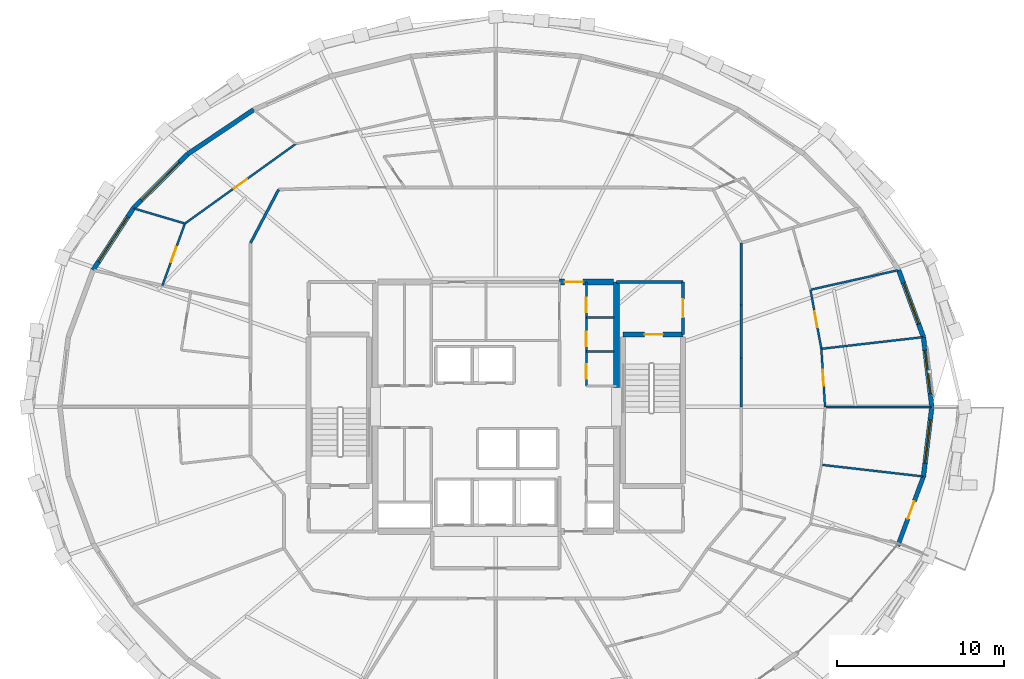
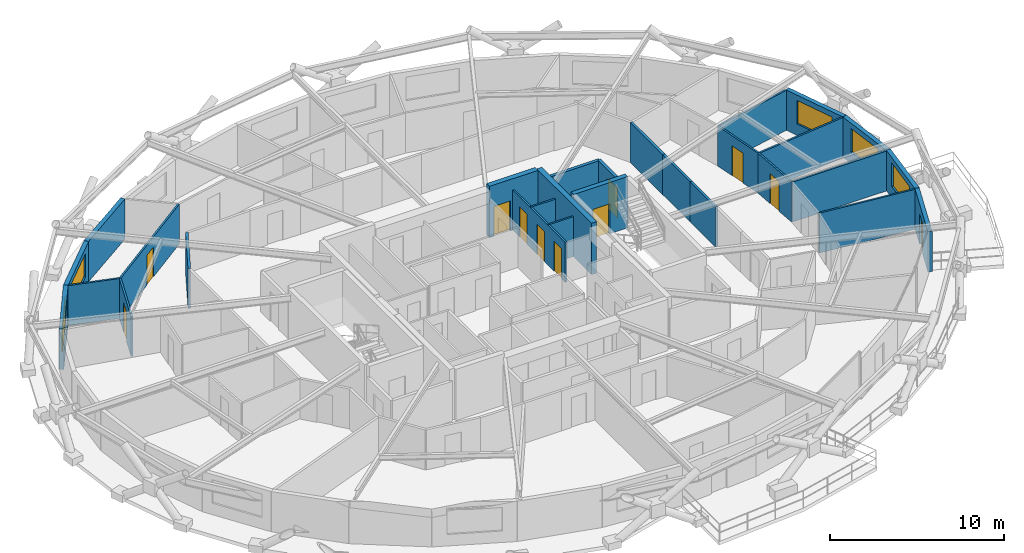
# One storey, part 13 of 16: 28 walls, 11 doors, 5 windows, 16 openings.
"""IFC4 building model written with IfcOpenShell, lengths in metres."""

import ifcopenshell
import ifcopenshell.guid

model = None  # the IFC model being written
_history = None  # IfcOwnerHistory: only IFC2X3 demands one
_inside = {}  # id of a spatial element -> (the spatial element, [elements in it])
_under = {}  # id of a project, library or spatial element -> (it, [spatial elements below it])
_declared = {}  # id of a project -> (the project, [libraries it declares])
_typed = {}  # id of a type object -> (the type object, [elements of that type])
_made_of = {}  # id of a material, layer set ... -> (it, [elements and type objects made of it])


def new_model(schema):
    """Start an empty IFC model of exactly this schema.

    Asked for "IFC4X3", IfcOpenShell would pick the latest addendum, in which some entities
    have other attributes; the version numbers below select the first issue.
    IFC2X3 requires an IfcOwnerHistory on every rooted entity: one is made here for all.
    """
    global model, _history
    if schema == "IFC4X3":
        model = ifcopenshell.file(schema_version=(4, 3, 0, 0))
    else:
        model = ifcopenshell.file(schema=schema)
    _inside.clear()
    _under.clear()
    _declared.clear()
    _typed.clear()
    _made_of.clear()
    _history = None
    if model.schema == "IFC2X3":
        org = make("IfcOrganization", Name="unknown")
        user = make(
            "IfcPersonAndOrganization",
            ThePerson=make("IfcPerson", FamilyName="unknown"),
            TheOrganization=org,
        )
        app = make(
            "IfcApplication",
            ApplicationDeveloper=org,
            Version="unknown",
            ApplicationFullName="unknown",
            ApplicationIdentifier="unknown",
        )
        _history = make(
            "IfcOwnerHistory",
            OwningUser=user,
            OwningApplication=app,
            ChangeAction="ADDED",
            CreationDate=0,
        )
    return model


def make(cls, **values):
    """One entity of the class cls with the attributes given. An attribute that is None is left unset."""
    return model.create_entity(
        cls, **{name: value for name, value in values.items() if value is not None}
    )


def rooted(cls, **values):
    """An entity with a GlobalId (a new one), such as an element, a storey or a relation."""
    return make(cls, GlobalId=ifcopenshell.guid.new(), OwnerHistory=_history, **values)


def si_unit(unit_type, name, prefix=None):
    """IfcSIUnit, for example si_unit("LENGTHUNIT", "METRE", prefix="MILLI")."""
    return make("IfcSIUnit", UnitType=unit_type, Prefix=prefix, Name=name)


def assignment(units):
    """IfcUnitAssignment: the units of a project."""
    return None if units is None else make("IfcUnitAssignment", Units=units)


def point(xyz):
    """IfcCartesianPoint."""
    return None if xyz is None else make("IfcCartesianPoint", Coordinates=xyz)


def direction(xyz):
    """IfcDirection."""
    return None if xyz is None else make("IfcDirection", DirectionRatios=xyz)


def frame(location, z_axis=None, x_axis=None):
    """IfcAxis2Placement3D, a coordinate frame: its origin and axes. An axis left out is left unset."""
    return make(
        "IfcAxis2Placement3D",
        Location=point(location),
        Axis=direction(z_axis),
        RefDirection=direction(x_axis),
    )


def frame_2d(location, x_axis=None):
    """IfcAxis2Placement2D, a coordinate frame in the plane: its origin and x axis."""
    return make(
        "IfcAxis2Placement2D", Location=point(location), RefDirection=direction(x_axis)
    )


def origin():
    """The frame at (0, 0, 0) with its axes left unset."""
    return frame((0.0, 0.0, 0.0))


def place(relative_to, where):
    """IfcLocalPlacement: puts the frame where relative to a parent placement (None: the world)."""
    return make(
        "IfcLocalPlacement", PlacementRelTo=relative_to, RelativePlacement=where
    )


def context(
    kind, dimensions, precision=None, world=None, true_north=None, identifier=None
):
    """IfcGeometricRepresentationContext, for example the 3D "Model" context."""
    return make(
        "IfcGeometricRepresentationContext",
        ContextIdentifier=identifier,
        ContextType=kind,
        CoordinateSpaceDimension=dimensions,
        Precision=precision,
        WorldCoordinateSystem=world,
        TrueNorth=true_north,
    )


def subcontext(parent, identifier, kind, view, scale=None):
    """IfcGeometricRepresentationSubContext, for example "Body" below "Model"."""
    return make(
        "IfcGeometricRepresentationSubContext",
        ContextIdentifier=identifier,
        ContextType=kind,
        ParentContext=parent,
        TargetScale=scale,
        TargetView=view,
    )


def project(units=None, contexts=None):
    """IfcProject with its units and contexts."""
    return rooted(
        "IfcProject",
        Name="project",
        RepresentationContexts=contexts,
        UnitsInContext=assignment(units),
    )


def spatial(cls, under=None, at=None, **own):
    """A site, building, storey or space (cls), placed at a placement, below another one or the project."""
    s = rooted(cls, ObjectPlacement=at, **own)
    if under is not None:
        _under.setdefault(under.id(), (under, []))[1].append(s)
    return s


def profile(cls, at=None, kind="AREA", **sizes):
    """A parametric profile (cls). Its sizes go by their IFC names, for example OverallWidth=200.0."""
    return make(cls, ProfileType=kind, Position=at, **sizes)


def rectangle(**sizes):
    """IfcRectangleProfileDef."""
    return profile("IfcRectangleProfileDef", **sizes)


def extrude(swept, where, along, depth):
    """IfcExtrudedAreaSolid: the profile swept, set in the frame where, extruded along a direction by depth."""
    return make(
        "IfcExtrudedAreaSolid",
        SweptArea=swept,
        Position=where,
        ExtrudedDirection=direction(along),
        Depth=depth,
    )


def shape(context_of_items, identifier, shape_type, items):
    """IfcShapeRepresentation: the items that make up one representation, for example the "Body"."""
    return make(
        "IfcShapeRepresentation",
        ContextOfItems=context_of_items,
        RepresentationIdentifier=identifier,
        RepresentationType=shape_type,
        Items=items,
    )


def material(Name=None, Category=None):
    """IfcMaterial."""
    return make("IfcMaterial", Name=Name, Category=Category)


def layer(
    of_material, thickness, ventilated=None, Name=None, Category=None, Priority=None
):
    """IfcMaterialLayer: one layer of a wall or slab, of a material (None: an air gap)."""
    return make(
        "IfcMaterialLayer",
        Material=of_material,
        LayerThickness=thickness,
        IsVentilated=ventilated,
        Name=Name,
        Category=Category,
        Priority=Priority,
    )


def layer_set(layers, Name=None):
    """IfcMaterialLayerSet."""
    return make("IfcMaterialLayerSet", MaterialLayers=layers, LayerSetName=Name)


def made_of(thing, what):
    """Note that an element or type object is made of a material, layer set ...; save() writes the relation."""
    if what is not None:
        _made_of.setdefault(what.id(), (what, []))[1].append(thing)
    return thing


def type_object(cls, material=None, **own):
    """A type object (cls), such as IfcWallType, which elements share."""
    return made_of(rooted(cls, **own), material)


def element(
    cls,
    number,
    at=None,
    inside=None,
    cuts=None,
    type_object=None,
    material=None,
    context=None,
    identifier="Body",
    shape_type=None,
    held_by="IfcProductDefinitionShape",
    body=None,
    shapes=None,
    **own,
):
    """One element of the class cls, such as IfcWall. Its Tag is "e" and its number.

    at: its placement. inside: the storey or other place that contains it. cuts: it is an
    opening in that element (IfcRelVoidsElement). A single representation is given by context,
    identifier, shape_type and body (its items); several are given by shapes. held_by: the class
    of the entity that holds the representations. save() writes the other relations.
    """
    e = rooted(cls, Tag="e%d" % number, ObjectPlacement=at, **own)
    if body is not None:
        shapes = [shape(context, identifier, shape_type, body)]
    if shapes is not None:
        e.Representation = make(held_by, Representations=shapes)
    if inside is not None:
        _inside.setdefault(inside.id(), (inside, []))[1].append(e)
    if cuts is not None:
        rooted(
            "IfcRelVoidsElement", RelatingBuildingElement=cuts, RelatedOpeningElement=e
        )
    if type_object is not None:
        _typed.setdefault(type_object.id(), (type_object, []))[1].append(e)
    return made_of(e, material)


def fill(opening, filler):
    """IfcRelFillsElement: the door or window that sits in an opening."""
    return rooted(
        "IfcRelFillsElement",
        RelatingOpeningElement=opening,
        RelatedBuildingElement=filler,
    )


def aggregate(whole, parts):
    """IfcRelAggregates: a whole, such as a stair, and the parts it consists of."""
    return rooted("IfcRelAggregates", RelatingObject=whole, RelatedObjects=parts)


def save(model, path):
    """Write the relations noted so far, then the file.

    IfcRelAggregates (storeys below a building ...), IfcRelContainedInSpatialStructure (elements
    in a storey), IfcRelDefinesByType, IfcRelAssociatesMaterial and IfcRelDeclares: one each for
    every whole, place, type object, material and project.
    """
    for whole, parts in _under.values():
        aggregate(whole, parts)
    for where, things in _inside.values():
        rooted(
            "IfcRelContainedInSpatialStructure",
            RelatedElements=things,
            RelatingStructure=where,
        )
    for kind, things in _typed.values():
        rooted("IfcRelDefinesByType", RelatedObjects=things, RelatingType=kind)
    for what, things in _made_of.values():
        rooted("IfcRelAssociatesMaterial", RelatedObjects=things, RelatingMaterial=what)
    for by, libraries in _declared.values():
        rooted("IfcRelDeclares", RelatingContext=by, RelatedDefinitions=libraries)
    model.write(path)


model = new_model("IFC4")

# Units and contexts
model_context = context("Model", 3, precision=1e-05, world=origin(), true_north=direction((0.0, 1.0)))
body_context = subcontext(model_context, "Body", "Model", "MODEL_VIEW")
ifc_project = project(units=[si_unit("LENGTHUNIT", "METRE"), si_unit("AREAUNIT", "SQUARE_METRE"), si_unit("VOLUMEUNIT", "CUBIC_METRE"), si_unit("PLANEANGLEUNIT", "RADIAN"), si_unit("MASSUNIT", "GRAM", prefix="KILO")], contexts=[model_context])

# Site, building, storey
site_placement = place(None, origin())
site = spatial("IfcSite", under=ifc_project, at=site_placement, CompositionType="ELEMENT")
building_placement = place(site_placement, origin())
building = spatial("IfcBuilding", under=site, at=building_placement, Name="Veldorina Hangang Commons", CompositionType="ELEMENT")
storey_placement = place(building_placement, frame((0.0, 0.0, 174.800048828125)))
storey = spatial("IfcBuildingStorey", under=building, at=storey_placement, Name="L45", CompositionType="ELEMENT", Elevation=174.800048828125)

# Wall
ifc_material_1 = material(Name="Concrete C60/75", Category="concrete")
ifc_layer_1 = layer(ifc_material_1, 0.340087890625)
ifc_layer_set_1 = layer_set([ifc_layer_1], Name="Concrete C60/75")
wall_type_1 = type_object("IfcWallType", Name="CW-RC340-C60", PredefinedType="SHEAR", material=ifc_layer_set_1)
wall_1_placement = place(storey_placement, frame((39.199951171875, 25.14990234375, 0.0), z_axis=(0.0, 0.0, 1.0), x_axis=(0.0, 1.0, 0.0)))
element("IfcWall", 1, at=wall_1_placement, inside=storey, type_object=wall_type_1, Name="L45 E north core shear wall", PredefinedType="SHEAR", context=body_context, shape_type="SweptSolid", body=[
    extrude(rectangle(XDim=6.300048828125, YDim=0.340087890625, at=frame_2d((3.14990234375, 0.0))), origin(), (0.0, 0.0, 1.0), 3.599853515625),
])

# Wall, opening, door
wall_2_placement = place(storey_placement, frame((35.800048828125, 31.449951171875, 0.0), z_axis=(0.0, 0.0, 1.0), x_axis=(1.0, 0.0, 0.0)))
wall_2 = element("IfcWall", 2, at=wall_2_placement, inside=storey, type_object=wall_type_1, Name="L45 north-east core shear wall", PredefinedType="SHEAR", context=body_context, shape_type="SweptSolid", body=[
    extrude(rectangle(XDim=3.22998046875, YDim=0.340087890625, at=frame_2d((1.614990234375, 0.0))), origin(), (0.0, 0.0, 1.0), 3.599853515625),
])
opening_1_placement = place(wall_2_placement, frame((0.300048828125, 0.0, 0.0)))
opening_1 = element("IfcOpeningElement", 3, at=opening_1_placement, cuts=wall_2, Name="Opening D-08", PredefinedType="OPENING", context=body_context, shape_type="SweptSolid", body=[
    extrude(rectangle(XDim=1.10009765625, YDim=2.10009765625, at=frame_2d((0.550048828125, 1.050048828125))), frame((0.0, 0.18017578125, 0.0), z_axis=(0.0, -1.0, 0.0), x_axis=(1.0, 0.0, 0.0)), (0.0, 0.0, 1.0), 0.360107421875),
])
ifc_material_2 = material(Name="Steel Fire-Rated Smoke Seal", Category="steel")
door_type_1 = type_object("IfcDoorType", Name="DR-FIRE-1100", OperationType="SINGLE_SWING_RIGHT", PredefinedType="DOOR", material=ifc_material_2)
door_1_placement = place(opening_1_placement, origin())
door_1 = element("IfcDoor", 4, at=door_1_placement, inside=storey, type_object=door_type_1, Name="L45 central lift lobby north corridor door", OperationType="SINGLE_SWING_LEFT", OverallHeight=2.10009765625, OverallWidth=1.10009765625, PredefinedType="DOOR", context=body_context, shape_type="SweptSolid", body=[
    extrude(rectangle(XDim=1.10009765625, YDim=2.10009765625, at=frame_2d((0.550048828125, 1.050048828125))), frame((0.0, 0.02490234375, 0.0), z_axis=(0.0, -1.0, 0.0), x_axis=(1.0, 0.0, 0.0)), (0.0, 0.0, 1.0), 0.050048828125),
])
fill(opening_1, door_1)

ifc_material_3 = material(Name="Stone Roman Travertine", Category="masonry")
ifc_layer_2 = layer(ifc_material_3, 0.260009765625)
ifc_layer_set_2 = layer_set([ifc_layer_2], Name="Stone Roman Travertine")
wall_type_2 = type_object("IfcWallType", Name="EW-LOGGIA-260", PredefinedType="STANDARD", material=ifc_layer_set_2)
wall_3_placement = place(storey_placement, frame((56.004638671875, 15.689697265625, 0.0), z_axis=(0.0, 0.0, 1.0), x_axis=(0.347096775118, 0.937829317468, 0.0)))
wall_3 = element("IfcWall", 5, at=wall_3_placement, inside=storey, type_object=wall_type_2, Name="L45 sky-garden loggia portal wall 30", PredefinedType="STANDARD", context=body_context, shape_type="SweptSolid", body=[
    extrude(rectangle(XDim=4.422119140625, YDim=0.260009765625, at=frame_2d((2.2109375, 0.0))), origin(), (0.0, 0.0, 1.0), 2.820068359375),
])
opening_2_placement = place(wall_3_placement, frame((1.73779296875, 0.0, 0.0)))
opening_2 = element("IfcOpeningElement", 6, at=opening_2_placement, cuts=wall_3, Name="Opening BD-1100", PredefinedType="OPENING", context=body_context, shape_type="SweptSolid", body=[
    extrude(rectangle(XDim=1.10009765625, YDim=2.14990234375, at=frame_2d((0.550048828125, 1.074951171875))), frame((0.0, 0.14013671875, 0.0), z_axis=(0.0, -1.0, 0.0), x_axis=(1.0, 0.0, 0.0)), (0.0, 0.0, 1.0), 0.280029296875),
])
ifc_material_4 = material(Name="Glass Thermal Aluminium Frame", Category="aluminium")
door_type_2 = type_object("IfcDoorType", Name="DR-EXT-BAL1100", OperationType="SINGLE_SWING_RIGHT", PredefinedType="DOOR", material=ifc_material_4)
door_2_placement = place(opening_2_placement, origin())
door_2 = element("IfcDoor", 7, at=door_2_placement, inside=storey, type_object=door_type_2, Name="L45 tree balcony glazed exterior door 30", OperationType="SINGLE_SWING_LEFT", OverallHeight=2.14990234375, OverallWidth=1.10009765625, PredefinedType="DOOR", context=body_context, shape_type="SweptSolid", body=[
    extrude(rectangle(XDim=1.10009765625, YDim=2.14990234375, at=frame_2d((0.550048828125, 1.074951171875))), frame((0.0, 0.02490234375, 0.0), z_axis=(0.0, -1.0, 0.0), x_axis=(1.0, 0.0, 0.0)), (0.0, 0.0, 1.0), 0.050048828125),
])
fill(opening_2, door_2)

# Wall, opening, window
ifc_layer_3 = layer(ifc_material_3, 0.280029296875)
ifc_layer_set_3 = layer_set([ifc_layer_3], Name="Stone Roman Travertine")
wall_type_3 = type_object("IfcWallType", Name="EW-TRAV-280", PredefinedType="STANDARD", material=ifc_layer_set_3)
wall_4_placement = place(storey_placement, frame((58.0400390625, 24.0, 0.0), z_axis=(0.0, 0.0, 1.0), x_axis=(-0.119361035634, 0.992850916892, 0.0)))
wall_4 = element("IfcWall", 8, at=wall_4_placement, inside=storey, type_object=wall_type_3, Name="L45 travertine facade wall 00", PredefinedType="STANDARD", context=body_context, shape_type="SweptSolid", body=[
    extrude(rectangle(XDim=4.193115234375, YDim=0.280029296875, at=frame_2d((2.0966796875, 0.0))), origin(), (0.0, 0.0, 1.0), 2.820068359375),
])
opening_3_placement = place(wall_4_placement, frame((0.796630859375, 0.0, 0.800048828125)))
opening_3 = element("IfcOpeningElement", 9, at=opening_3_placement, cuts=wall_4, Name="Opening W-02", PredefinedType="OPENING", context=body_context, shape_type="SweptSolid", body=[
    extrude(rectangle(XDim=2.60009765625, YDim=1.64990234375, at=frame_2d((1.300048828125, 0.824951171875))), frame((0.0, 0.14990234375, 0.0), z_axis=(0.0, -1.0, 0.0), x_axis=(1.0, 0.0, 0.0)), (0.0, 0.0, 1.0), 0.300048828125),
])
ifc_material_5 = material(Name="Glass Low-E Triple IGU", Category="glass")
window_type_1 = type_object("IfcWindowType", Name="WIN-TWR-2600", PartitioningType="SINGLE_PANEL", PredefinedType="WINDOW", material=ifc_material_5)
window_1_placement = place(opening_3_placement, origin())
window_1 = element("IfcWindow", 10, at=window_1_placement, inside=storey, type_object=window_type_1, Name="L45 facade window 00", OverallHeight=1.64990234375, OverallWidth=2.60009765625, PartitioningType="SINGLE_PANEL", PredefinedType="WINDOW", context=body_context, shape_type="SweptSolid", body=[
    extrude(rectangle(XDim=2.60009765625, YDim=1.64990234375, at=frame_2d((1.300048828125, 0.824951171875))), frame((0.0, 0.030029296875, 0.0), z_axis=(0.0, -1.0, 0.0), x_axis=(1.0, 0.0, 0.0)), (0.0, 0.0, 1.0), 0.06005859375),
])
fill(opening_3, window_1)

wall_5_placement = place(storey_placement, frame((57.53955078125, 28.1630859375, 0.0), z_axis=(0.0, 0.0, 1.0), x_axis=(-0.347096410893, 0.93782945227, 0.0)))
wall_5 = element("IfcWall", 11, at=wall_5_placement, inside=storey, type_object=wall_type_3, Name="L45 travertine facade wall 01", PredefinedType="STANDARD", context=body_context, shape_type="SweptSolid", body=[
    extrude(rectangle(XDim=4.268798828125, YDim=0.280029296875, at=frame_2d((2.13427734375, 0.0))), origin(), (0.0, 0.0, 1.0), 2.820068359375),
])
opening_4_placement = place(wall_5_placement, frame((0.83447265625, 0.0, 0.800048828125)))
opening_4 = element("IfcOpeningElement", 12, at=opening_4_placement, cuts=wall_5, Name="Opening W-02", PredefinedType="OPENING", context=body_context, shape_type="SweptSolid", body=[
    extrude(rectangle(XDim=2.60009765625, YDim=1.64990234375, at=frame_2d((1.300048828125, 0.824951171875))), frame((0.0, 0.14990234375, 0.0), z_axis=(0.0, -1.0, 0.0), x_axis=(1.0, 0.0, 0.0)), (0.0, 0.0, 1.0), 0.300048828125),
])
window_2_placement = place(opening_4_placement, origin())
window_2 = element("IfcWindow", 13, at=window_2_placement, inside=storey, type_object=window_type_1, Name="L45 facade window 01", OverallHeight=1.64990234375, OverallWidth=2.60009765625, PartitioningType="SINGLE_PANEL", PredefinedType="WINDOW", context=body_context, shape_type="SweptSolid", body=[
    extrude(rectangle(XDim=2.60009765625, YDim=1.64990234375, at=frame_2d((1.300048828125, 0.824951171875))), frame((0.0, 0.030029296875, 0.0), z_axis=(0.0, -1.0, 0.0), x_axis=(1.0, 0.0, 0.0)), (0.0, 0.0, 1.0), 0.06005859375),
])
fill(opening_4, window_2)

# Wall
wall_6_placement = place(storey_placement, frame((17.532958984375, 41.74365234375, 0.0), z_axis=(0.0, 0.0, 1.0), x_axis=(-0.829776575502, -0.558095721851, 0.0)))
element("IfcWall", 14, at=wall_6_placement, inside=storey, type_object=wall_type_3, Name="L45 travertine facade wall 11", PredefinedType="STANDARD", context=body_context, shape_type="SweptSolid", body=[
    extrude(rectangle(XDim=4.755615234375, YDim=0.280029296875, at=frame_2d((2.3779296875, 0.0))), origin(), (0.0, 0.0, 1.0), 2.820068359375),
])

# Wall, opening, window
wall_7_placement = place(storey_placement, frame((13.5869140625, 39.089599609375, 0.0), z_axis=(0.0, 0.0, 1.0), x_axis=(-0.707640043992, -0.706573115919, 0.0)))
wall_7 = element("IfcWall", 15, at=wall_7_placement, inside=storey, type_object=wall_type_3, Name="L45 travertine facade wall 12", PredefinedType="STANDARD", context=body_context, shape_type="SweptSolid", body=[
    extrude(rectangle(XDim=4.576416015625, YDim=0.280029296875, at=frame_2d((2.2880859375, 0.0))), origin(), (0.0, 0.0, 1.0), 2.820068359375),
])
opening_5_placement = place(wall_7_placement, frame((0.688232421875, 0.0, 0.800048828125)))
opening_5 = element("IfcOpeningElement", 16, at=opening_5_placement, cuts=wall_7, Name="Opening W-01", PredefinedType="OPENING", context=body_context, shape_type="SweptSolid", body=[
    extrude(rectangle(XDim=3.199951171875, YDim=1.64990234375, at=frame_2d((1.60009765625, 0.824951171875))), frame((0.0, 0.14990234375, 0.0), z_axis=(0.0, -1.0, 0.0), x_axis=(1.0, 0.0, 0.0)), (0.0, 0.0, 1.0), 0.300048828125),
])
window_type_2 = type_object("IfcWindowType", Name="WIN-TWR-3200", PartitioningType="SINGLE_PANEL", PredefinedType="WINDOW", material=ifc_material_5)
window_3_placement = place(opening_5_placement, origin())
window_3 = element("IfcWindow", 17, at=window_3_placement, inside=storey, type_object=window_type_2, Name="L45 facade window 12", OverallHeight=1.64990234375, OverallWidth=3.199951171875, PartitioningType="SINGLE_PANEL", PredefinedType="WINDOW", context=body_context, shape_type="SweptSolid", body=[
    extrude(rectangle(XDim=3.199951171875, YDim=1.64990234375, at=frame_2d((1.60009765625, 0.824951171875))), frame((0.0, 0.030029296875, 0.0), z_axis=(0.0, -1.0, 0.0), x_axis=(1.0, 0.0, 0.0)), (0.0, 0.0, 1.0), 0.06005859375),
])
fill(opening_5, window_3)

wall_8_placement = place(storey_placement, frame((10.348388671875, 35.85595703125, 0.0), z_axis=(0.0, 0.0, 1.0), x_axis=(-0.54628130625, -0.837601775573, 0.0)))
wall_8 = element("IfcWall", 18, at=wall_8_placement, inside=storey, type_object=wall_type_3, Name="L45 travertine facade wall 13", PredefinedType="STANDARD", context=body_context, shape_type="SweptSolid", body=[
    extrude(rectangle(XDim=4.40478515625, YDim=0.280029296875, at=frame_2d((2.202392578125, 0.0))), origin(), (0.0, 0.0, 1.0), 2.820068359375),
])
opening_6_placement = place(wall_8_placement, frame((0.602294921875, 0.0, 0.800048828125)))
opening_6 = element("IfcOpeningElement", 19, at=opening_6_placement, cuts=wall_8, Name="Opening W-01", PredefinedType="OPENING", context=body_context, shape_type="SweptSolid", body=[
    extrude(rectangle(XDim=3.199951171875, YDim=1.64990234375, at=frame_2d((1.60009765625, 0.824951171875))), frame((0.0, 0.14990234375, 0.0), z_axis=(0.0, -1.0, 0.0), x_axis=(1.0, 0.0, 0.0)), (0.0, 0.0, 1.0), 0.300048828125),
])
window_4_placement = place(opening_6_placement, origin())
window_4 = element("IfcWindow", 20, at=window_4_placement, inside=storey, type_object=window_type_2, Name="L45 facade window 13", OverallHeight=1.64990234375, OverallWidth=3.199951171875, PartitioningType="SINGLE_PANEL", PredefinedType="WINDOW", context=body_context, shape_type="SweptSolid", body=[
    extrude(rectangle(XDim=3.199951171875, YDim=1.64990234375, at=frame_2d((1.60009765625, 0.824951171875))), frame((0.0, 0.030029296875, 0.0), z_axis=(0.0, -1.0, 0.0), x_axis=(1.0, 0.0, 0.0)), (0.0, 0.0, 1.0), 0.06005859375),
])
fill(opening_6, window_4)

wall_9_placement = place(storey_placement, frame((57.53955078125, 19.8369140625, 0.0), z_axis=(0.0, 0.0, 1.0), x_axis=(0.119361035634, 0.992850916892, 0.0)))
wall_9 = element("IfcWall", 21, at=wall_9_placement, inside=storey, type_object=wall_type_3, Name="L45 travertine facade wall 31", PredefinedType="STANDARD", context=body_context, shape_type="SweptSolid", body=[
    extrude(rectangle(XDim=4.193115234375, YDim=0.280029296875, at=frame_2d((2.0966796875, 0.0))), origin(), (0.0, 0.0, 1.0), 2.820068359375),
])
opening_7_placement = place(wall_9_placement, frame((0.796630859375, 0.0, 0.800048828125)))
opening_7 = element("IfcOpeningElement", 22, at=opening_7_placement, cuts=wall_9, Name="Opening W-02", PredefinedType="OPENING", context=body_context, shape_type="SweptSolid", body=[
    extrude(rectangle(XDim=2.60009765625, YDim=1.64990234375, at=frame_2d((1.300048828125, 0.824951171875))), frame((0.0, 0.14990234375, 0.0), z_axis=(0.0, -1.0, 0.0), x_axis=(1.0, 0.0, 0.0)), (0.0, 0.0, 1.0), 0.300048828125),
])
window_5_placement = place(opening_7_placement, origin())
window_5 = element("IfcWindow", 23, at=window_5_placement, inside=storey, type_object=window_type_1, Name="L45 facade window 31", OverallHeight=1.64990234375, OverallWidth=2.60009765625, PartitioningType="SINGLE_PANEL", PredefinedType="WINDOW", context=body_context, shape_type="SweptSolid", body=[
    extrude(rectangle(XDim=2.60009765625, YDim=1.64990234375, at=frame_2d((1.300048828125, 0.824951171875))), frame((0.0, 0.030029296875, 0.0), z_axis=(0.0, -1.0, 0.0), x_axis=(1.0, 0.0, 0.0)), (0.0, 0.0, 1.0), 0.06005859375),
])
fill(opening_7, window_5)

# Wall, opening, door
ifc_material_6 = material(Name="Concrete C50/60", Category="concrete")
ifc_layer_4 = layer(ifc_material_6, 0.300048828125)
ifc_layer_set_4 = layer_set([ifc_layer_4], Name="Concrete C50/60")
wall_type_4 = type_object("IfcWallType", Name="SW-STAIR-300", PredefinedType="SHEAR", material=ifc_layer_set_4)
wall_10_placement = place(storey_placement, frame((39.580078125, 28.320068359375, 0.0), z_axis=(0.0, 0.0, 1.0), x_axis=(1.0, 0.0, 0.0)))
wall_10 = element("IfcWall", 24, at=wall_10_placement, inside=storey, type_object=wall_type_4, Name="L45 ST2 north stair shear wall", PredefinedType="SHEAR", context=body_context, shape_type="SweptSolid", body=[
    extrude(rectangle(XDim=3.599853515625, YDim=0.300048828125, at=frame_2d((1.7998046875, 0.0))), origin(), (0.0, 0.0, 1.0), 3.599853515625),
])
opening_8_placement = place(wall_10_placement, frame((1.300048828125, 0.0, 0.0)))
opening_8 = element("IfcOpeningElement", 25, at=opening_8_placement, cuts=wall_10, Name="Opening D-08", PredefinedType="OPENING", context=body_context, shape_type="SweptSolid", body=[
    extrude(rectangle(XDim=1.10009765625, YDim=2.10009765625, at=frame_2d((0.550048828125, 1.050048828125))), frame((0.0, 0.16015625, 0.0), z_axis=(0.0, -1.0, 0.0), x_axis=(1.0, 0.0, 0.0)), (0.0, 0.0, 1.0), 0.320068359375),
])
door_3_placement = place(opening_8_placement, origin())
door_3 = element("IfcDoor", 26, at=door_3_placement, inside=storey, type_object=door_type_1, Name="L45 Special Escape Stair ST-2 door", OperationType="SINGLE_SWING_RIGHT", OverallHeight=2.10009765625, OverallWidth=1.10009765625, PredefinedType="DOOR", context=body_context, shape_type="SweptSolid", body=[
    extrude(rectangle(XDim=1.10009765625, YDim=2.10009765625, at=frame_2d((0.550048828125, 1.050048828125))), frame((0.0, 0.02490234375, 0.0), z_axis=(0.0, -1.0, 0.0), x_axis=(1.0, 0.0, 0.0)), (0.0, 0.0, 1.0), 0.050048828125),
])
fill(opening_8, door_3)

# Walls
ifc_material_7 = material(Name="Gypsum Fire-Rated Twin Stud Wall", Category="gypsum")
ifc_layer_5 = layer(ifc_material_7, 0.159912109375)
ifc_layer_set_5 = layer_set([ifc_layer_5], Name="Gypsum Fire-Rated Twin Stud Wall")
wall_type_5 = type_object("IfcWallType", Name="WL-FIRE-160", PredefinedType="SOLIDWALL", material=ifc_layer_set_5)
wall_11_placement = place(storey_placement, frame((46.64990234375, 24.0, 0.0), z_axis=(0.0, 0.0, 1.0), x_axis=(0.0, 1.0, 0.0)))
element("IfcWall", 27, at=wall_11_placement, inside=storey, type_object=wall_type_5, Name="L45 U-corridor outer wall 00 050", PredefinedType="SOLIDWALL", context=body_context, shape_type="SweptSolid", body=[
    extrude(rectangle(XDim=2.9140625, YDim=0.159912109375, at=frame_2d((1.45703125, 0.0))), origin(), (0.0, 0.0, 1.0), 2.800048828125),
])
wall_12_placement = place(storey_placement, frame((46.64990234375, 26.9140625, 0.0), z_axis=(0.0, 0.0, 1.0), x_axis=(0.0, 1.0, 0.0)))
element("IfcWall", 28, at=wall_12_placement, inside=storey, type_object=wall_type_5, Name="L45 U-corridor outer wall 01 051", PredefinedType="SOLIDWALL", context=body_context, shape_type="SweptSolid", body=[
    extrude(rectangle(XDim=3.154052734375, YDim=0.159912109375, at=frame_2d((1.5771484375, 0.0))), origin(), (0.0, 0.0, 1.0), 2.800048828125),
])
wall_13_placement = place(storey_placement, frame((46.64990234375, 30.068115234375, 0.0), z_axis=(0.0, 0.0, 1.0), x_axis=(0.0, 1.0, 0.0)))
element("IfcWall", 29, at=wall_13_placement, inside=storey, type_object=wall_type_5, Name="L45 U-corridor outer wall 02 052", PredefinedType="SOLIDWALL", context=body_context, shape_type="SweptSolid", body=[
    extrude(rectangle(XDim=3.720703125, YDim=0.159912109375, at=frame_2d((1.8603515625, 0.0))), origin(), (0.0, 0.0, 1.0), 2.800048828125),
])
wall_14_placement = place(storey_placement, frame((19.02490234375, 36.97509765625, 0.0), z_axis=(0.0, 0.0, 1.0), x_axis=(-0.46527115782, -0.885168204185, 0.0)))
element("IfcWall", 30, at=wall_14_placement, inside=storey, type_object=wall_type_5, Name="L45 U-corridor outer wall 12 062", PredefinedType="SOLIDWALL", context=body_context, shape_type="SweptSolid", body=[
    extrude(rectangle(XDim=3.599609375, YDim=0.159912109375, at=frame_2d((1.7998046875, 0.0))), origin(), (0.0, 0.0, 1.0), 2.800048828125),
])

# Wall, opening, door
ifc_material_8 = material(Name="Concrete Blockwork Fire Wall C30/37", Category="masonry")
ifc_layer_6 = layer(ifc_material_8, 0.199951171875)
ifc_layer_set_6 = layer_set([ifc_layer_6], Name="Concrete Blockwork Fire Wall C30/37")
wall_type_6 = type_object("IfcWallType", Name="WL-FIRE-200", PredefinedType="SOLIDWALL", material=ifc_layer_set_6)
wall_15_placement = place(storey_placement, frame((43.179931640625, 28.320068359375, 0.0), z_axis=(0.0, 0.0, 1.0), x_axis=(0.0, 1.0, 0.0)))
wall_15 = element("IfcWall", 31, at=wall_15_placement, inside=storey, type_object=wall_type_6, Name="L45 East vestibule outer wall 003", PredefinedType="SOLIDWALL", context=body_context, shape_type="SweptSolid", body=[
    extrude(rectangle(XDim=3.1298828125, YDim=0.199951171875, at=frame_2d((1.56494140625, 0.0))), origin(), (0.0, 0.0, 1.0), 2.800048828125),
])
opening_9_placement = place(wall_15_placement, frame((1.014892578125, 0.0, 0.0)))
opening_9 = element("IfcOpeningElement", 32, at=opening_9_placement, cuts=wall_15, Name="Opening D-08", PredefinedType="OPENING", context=body_context, shape_type="SweptSolid", body=[
    extrude(rectangle(XDim=1.10009765625, YDim=2.10009765625, at=frame_2d((0.550048828125, 1.050048828125))), frame((0.0, 0.10986328125, 0.0), z_axis=(0.0, -1.0, 0.0), x_axis=(1.0, 0.0, 0.0)), (0.0, 0.0, 1.0), 0.219970703125),
])
door_4_placement = place(opening_9_placement, origin())
door_4 = element("IfcDoor", 33, at=door_4_placement, inside=storey, type_object=door_type_1, Name="L45 East vestibule east door 002", OperationType="SINGLE_SWING_RIGHT", OverallHeight=2.10009765625, OverallWidth=1.10009765625, PredefinedType="DOOR", context=body_context, shape_type="SweptSolid", body=[
    extrude(rectangle(XDim=1.10009765625, YDim=2.10009765625, at=frame_2d((0.550048828125, 1.050048828125))), frame((0.0, 0.02490234375, 0.0), z_axis=(0.0, -1.0, 0.0), x_axis=(1.0, 0.0, 0.0)), (0.0, 0.0, 1.0), 0.050048828125),
])
fill(opening_9, door_4)

# Wall
wall_16_placement = place(storey_placement, frame((39.199951171875, 31.449951171875, 0.0), z_axis=(0.0, 0.0, 1.0), x_axis=(1.0, 0.0, 0.0)))
element("IfcWall", 34, at=wall_16_placement, inside=storey, type_object=wall_type_6, Name="L45 East vestibule north wall 004", PredefinedType="SOLIDWALL", context=body_context, shape_type="SweptSolid", body=[
    extrude(rectangle(XDim=3.97998046875, YDim=0.199951171875, at=frame_2d((1.989990234375, 0.0))), origin(), (0.0, 0.0, 1.0), 2.800048828125),
])

# Wall, openings, doors
ifc_material_9 = material(Name="Gypsum Acoustic Stud Partition", Category="gypsum")
ifc_layer_7 = layer(ifc_material_9, 0.1201171875)
ifc_layer_set_7 = layer_set([ifc_layer_7], Name="Gypsum Acoustic Stud Partition")
wall_type_7 = type_object("IfcWallType", Name="WL-PART-120", PredefinedType="PARTITIONING", material=ifc_layer_set_7)
wall_17_placement = place(storey_placement, frame((37.39990234375, 25.25, 0.0), z_axis=(0.0, 0.0, 1.0), x_axis=(0.0, 1.0, 0.0)))
wall_17 = element("IfcWall", 35, at=wall_17_placement, inside=storey, type_object=wall_type_7, Name="L45 NE strip lobby wall 041", PredefinedType="PARTITIONING", context=body_context, shape_type="SweptSolid", body=[
    extrude(rectangle(XDim=6.199951171875, YDim=0.1201171875, at=frame_2d((3.10009765625, 0.0))), origin(), (0.0, 0.0, 1.0), 2.800048828125),
])
opening_10_placement = place(wall_17_placement, frame((0.43994140625, 0.0, 0.0)))
opening_10 = element("IfcOpeningElement", 36, at=opening_10_placement, cuts=wall_17, Name="Opening D-01", PredefinedType="OPENING", context=body_context, shape_type="SweptSolid", body=[
    extrude(rectangle(XDim=0.860107421875, YDim=2.10009765625, at=frame_2d((0.43017578125, 1.050048828125))), frame((0.0, 0.070068359375, 0.0), z_axis=(0.0, -1.0, 0.0), x_axis=(1.0, 0.0, 0.0)), (0.0, 0.0, 1.0), 0.14013671875),
])
opening_11_placement = place(wall_17_placement, frame((2.3701171875, 0.0, 0.0)))
opening_11 = element("IfcOpeningElement", 37, at=opening_11_placement, cuts=wall_17, Name="Opening D-01", PredefinedType="OPENING", context=body_context, shape_type="SweptSolid", body=[
    extrude(rectangle(XDim=0.860107421875, YDim=2.10009765625, at=frame_2d((0.43017578125, 1.050048828125))), frame((0.0, 0.070068359375, 0.0), z_axis=(0.0, -1.0, 0.0), x_axis=(1.0, 0.0, 0.0)), (0.0, 0.0, 1.0), 0.14013671875),
])
opening_12_placement = place(wall_17_placement, frame((4.389892578125, 0.0, 0.0)))
opening_12 = element("IfcOpeningElement", 38, at=opening_12_placement, cuts=wall_17, Name="Opening D-01", PredefinedType="OPENING", context=body_context, shape_type="SweptSolid", body=[
    extrude(rectangle(XDim=0.860107421875, YDim=2.10009765625, at=frame_2d((0.43017578125, 1.050048828125))), frame((0.0, 0.070068359375, 0.0), z_axis=(0.0, -1.0, 0.0), x_axis=(1.0, 0.0, 0.0)), (0.0, 0.0, 1.0), 0.14013671875),
])
ifc_material_10 = material(Name="Timber Moisture-Resistant Core", Category="wood")
door_type_3 = type_object("IfcDoorType", Name="DR-WET-860", OperationType="SINGLE_SWING_LEFT", PredefinedType="DOOR", material=ifc_material_10)
door_5_placement = place(opening_10_placement, origin())
door_5 = element("IfcDoor", 39, at=door_5_placement, inside=storey, type_object=door_type_3, Name="L45 Fiber Riser Closet door 017", OperationType="SINGLE_SWING_LEFT", OverallHeight=2.10009765625, OverallWidth=0.860107421875, PredefinedType="DOOR", context=body_context, shape_type="SweptSolid", body=[
    extrude(rectangle(XDim=0.860107421875, YDim=2.10009765625, at=frame_2d((0.43017578125, 1.050048828125))), frame((0.0, 0.02490234375, 0.0), z_axis=(0.0, -1.0, 0.0), x_axis=(1.0, 0.0, 0.0)), (0.0, 0.0, 1.0), 0.050048828125),
])
fill(opening_10, door_5)
door_6_placement = place(opening_11_placement, origin())
door_6 = element("IfcDoor", 40, at=door_6_placement, inside=storey, type_object=door_type_3, Name="L45 AV Rack Closet door 018", OperationType="SINGLE_SWING_RIGHT", OverallHeight=2.10009765625, OverallWidth=0.860107421875, PredefinedType="DOOR", context=body_context, shape_type="SweptSolid", body=[
    extrude(rectangle(XDim=0.860107421875, YDim=2.10009765625, at=frame_2d((0.43017578125, 1.050048828125))), frame((0.0, 0.02490234375, 0.0), z_axis=(0.0, -1.0, 0.0), x_axis=(1.0, 0.0, 0.0)), (0.0, 0.0, 1.0), 0.050048828125),
])
fill(opening_11, door_6)
door_7_placement = place(opening_12_placement, origin())
door_7 = element("IfcDoor", 41, at=door_7_placement, inside=storey, type_object=door_type_3, Name="L45 Supply Closet door 019", OperationType="SINGLE_SWING_LEFT", OverallHeight=2.10009765625, OverallWidth=0.860107421875, PredefinedType="DOOR", context=body_context, shape_type="SweptSolid", body=[
    extrude(rectangle(XDim=0.860107421875, YDim=2.10009765625, at=frame_2d((0.43017578125, 1.050048828125))), frame((0.0, 0.02490234375, 0.0), z_axis=(0.0, -1.0, 0.0), x_axis=(1.0, 0.0, 0.0)), (0.0, 0.0, 1.0), 0.050048828125),
])
fill(opening_12, door_7)

# Walls
for number, where, z_axis, x_axis, name in (
    (42, (37.39990234375, 27.300048828125, 0.0), (0.0, 0.0, 1.0), (1.0, 0.0, 0.0), "L45 NE split 1 047"),
    (43, (37.39990234375, 29.330078125, 0.0), (0.0, 0.0, 1.0), (1.0, 0.0, 0.0), "L45 NE split 2 048"),
):
    element("IfcWall", number, at=place(storey_placement, frame(where, z_axis=z_axis, x_axis=x_axis)), inside=storey, type_object=wall_type_7, Name=name, PredefinedType="PARTITIONING", context=body_context, shape_type="SweptSolid", body=[
        extrude(rectangle(XDim=1.650146484375, YDim=0.1201171875, at=frame_2d((0.8251953125, 0.0))), origin(), (0.0, 0.0, 1.0), 2.800048828125),
    ])
wall_18_placement = place(storey_placement, frame((51.44140625, 20.536376953125, 0.0), z_axis=(0.0, 0.0, 1.0), x_axis=(0.993484761462, -0.11396503298, 0.0)))
element("IfcWall", 44, at=wall_18_placement, inside=storey, type_object=wall_type_7, Name="L45 Cluster 2 bed divider 2 093", PredefinedType="PARTITIONING", context=body_context, shape_type="SweptSolid", body=[
    extrude(rectangle(XDim=6.088134765625, YDim=0.1201171875, at=frame_2d((3.0439453125, 0.0))), origin(), (0.0, 0.0, 1.0), 2.800048828125),
])

# Wall, opening, door
wall_19_placement = place(storey_placement, frame((51.66162109375, 24.0, 0.0), z_axis=(0.0, 0.0, 1.0), x_axis=(-0.063451217103, 0.997984941293, 0.0)))
wall_19 = element("IfcWall", 45, at=wall_19_placement, inside=storey, type_object=wall_type_7, Name="L45 Cluster 2 bed 4 front wall 094", PredefinedType="PARTITIONING", context=body_context, shape_type="SweptSolid", body=[
    extrude(rectangle(XDim=3.470703125, YDim=0.1201171875, at=frame_2d((1.7353515625, 0.0))), origin(), (0.0, 0.0, 1.0), 2.800048828125),
])
opening_13_placement = place(wall_19_placement, frame((1.26025390625, 0.0, 0.0)))
opening_13 = element("IfcOpeningElement", 46, at=opening_13_placement, cuts=wall_19, Name="Opening D-02", PredefinedType="OPENING", context=body_context, shape_type="SweptSolid", body=[
    extrude(rectangle(XDim=0.949951171875, YDim=2.10009765625, at=frame_2d((0.47509765625, 1.050048828125))), frame((0.0, 0.070068359375, 0.0), z_axis=(0.0, -1.0, 0.0), x_axis=(1.0, 0.0, 0.0)), (0.0, 0.0, 1.0), 0.14013671875),
])
ifc_material_11 = material(Name="Timber Solid Core Acoustic", Category="wood")
door_type_4 = type_object("IfcDoorType", Name="DR-INT-950", OperationType="SINGLE_SWING_LEFT", PredefinedType="DOOR", material=ifc_material_11)
door_8_placement = place(opening_13_placement, origin())
door_8 = element("IfcDoor", 47, at=door_8_placement, inside=storey, type_object=door_type_4, Name="L45 Cluster 2 bed 4 door 029", OperationType="SINGLE_SWING_LEFT", OverallHeight=2.10009765625, OverallWidth=0.949951171875, PredefinedType="DOOR", context=body_context, shape_type="SweptSolid", body=[
    extrude(rectangle(XDim=0.949951171875, YDim=2.10009765625, at=frame_2d((0.47509765625, 1.050048828125))), frame((0.0, 0.02490234375, 0.0), z_axis=(0.0, -1.0, 0.0), x_axis=(1.0, 0.0, 0.0)), (0.0, 0.0, 1.0), 0.050048828125),
])
fill(opening_13, door_8)

# Wall
wall_20_placement = place(storey_placement, frame((51.66162109375, 24.0, 0.0), z_axis=(0.0, 0.0, 1.0), x_axis=(1.0, 0.0, 0.0)))
element("IfcWall", 48, at=wall_20_placement, inside=storey, type_object=wall_type_7, Name="L45 Cluster 2 bed divider 3 095", PredefinedType="PARTITIONING", context=body_context, shape_type="SweptSolid", body=[
    extrude(rectangle(XDim=6.328369140625, YDim=0.1201171875, at=frame_2d((3.1640625, 0.0))), origin(), (0.0, 0.0, 1.0), 2.800048828125),
])

# Wall, opening, door
wall_21_placement = place(storey_placement, frame((51.44140625, 27.463623046875, 0.0), z_axis=(0.0, 0.0, 1.0), x_axis=(-0.18176514898, 0.983341970332, 0.0)))
wall_21 = element("IfcWall", 49, at=wall_21_placement, inside=storey, type_object=wall_type_7, Name="L45 Cluster 2 bed 5 front wall 096", PredefinedType="PARTITIONING", context=body_context, shape_type="SweptSolid", body=[
    extrude(rectangle(XDim=3.587646484375, YDim=0.1201171875, at=frame_2d((1.7939453125, 0.0))), origin(), (0.0, 0.0, 1.0), 2.800048828125),
])
opening_14_placement = place(wall_21_placement, frame((1.31884765625, 0.0, 0.0)))
opening_14 = element("IfcOpeningElement", 50, at=opening_14_placement, cuts=wall_21, Name="Opening D-02", PredefinedType="OPENING", context=body_context, shape_type="SweptSolid", body=[
    extrude(rectangle(XDim=0.949951171875, YDim=2.10009765625, at=frame_2d((0.47509765625, 1.050048828125))), frame((0.0, 0.070068359375, 0.0), z_axis=(0.0, -1.0, 0.0), x_axis=(1.0, 0.0, 0.0)), (0.0, 0.0, 1.0), 0.14013671875),
])
door_9_placement = place(opening_14_placement, origin())
door_9 = element("IfcDoor", 51, at=door_9_placement, inside=storey, type_object=door_type_4, Name="L45 Cluster 2 bed 5 door 030", OperationType="SINGLE_SWING_RIGHT", OverallHeight=2.10009765625, OverallWidth=0.949951171875, PredefinedType="DOOR", context=body_context, shape_type="SweptSolid", body=[
    extrude(rectangle(XDim=0.949951171875, YDim=2.10009765625, at=frame_2d((0.47509765625, 1.050048828125))), frame((0.0, 0.02490234375, 0.0), z_axis=(0.0, -1.0, 0.0), x_axis=(1.0, 0.0, 0.0)), (0.0, 0.0, 1.0), 0.050048828125),
])
fill(opening_14, door_9)

# Walls
wall_22_placement = place(storey_placement, frame((51.44140625, 27.463623046875, 0.0), z_axis=(0.0, 0.0, 1.0), x_axis=(0.993484761462, 0.11396503298, 0.0)))
element("IfcWall", 52, at=wall_22_placement, inside=storey, type_object=wall_type_7, Name="L45 Cluster 2 bed divider 4 097", PredefinedType="PARTITIONING", context=body_context, shape_type="SweptSolid", body=[
    extrude(rectangle(XDim=6.088134765625, YDim=0.1201171875, at=frame_2d((3.0439453125, 0.0))), origin(), (0.0, 0.0, 1.0), 2.800048828125),
])
wall_23_placement = place(storey_placement, frame((50.789306640625, 30.991455078125, 0.0), z_axis=(0.0, 0.0, 1.0), x_axis=(0.976023513378, 0.217665112806, 0.0)))
element("IfcWall", 53, at=wall_23_placement, inside=storey, type_object=wall_type_7, Name="L45 Cluster 2 bed divider 5 099", PredefinedType="PARTITIONING", context=body_context, shape_type="SweptSolid", body=[
    extrude(rectangle(XDim=5.347900390625, YDim=0.1201171875, at=frame_2d((2.673828125, 0.0))), origin(), (0.0, 0.0, 1.0), 2.800048828125),
])

# Wall, opening, door
wall_24_placement = place(storey_placement, frame((20.047119140625, 39.700439453125, 0.0), z_axis=(0.0, 0.0, 1.0), x_axis=(-0.812159557972, -0.583435388364, 0.0)))
wall_24 = element("IfcWall", 54, at=wall_24_placement, inside=storey, type_object=wall_type_7, Name="L45 Cluster 4 bed 2 front wall 114", PredefinedType="PARTITIONING", context=body_context, shape_type="SweptSolid", body=[
    extrude(rectangle(XDim=8.1484375, YDim=0.1201171875, at=frame_2d((4.07421875, 0.0))), origin(), (0.0, 0.0, 1.0), 2.800048828125),
])
opening_15_placement = place(wall_24_placement, frame((3.59912109375, 0.0, 0.0)))
opening_15 = element("IfcOpeningElement", 55, at=opening_15_placement, cuts=wall_24, Name="Opening D-02", PredefinedType="OPENING", context=body_context, shape_type="SweptSolid", body=[
    extrude(rectangle(XDim=0.949951171875, YDim=2.10009765625, at=frame_2d((0.47509765625, 1.050048828125))), frame((0.0, 0.070068359375, 0.0), z_axis=(0.0, -1.0, 0.0), x_axis=(1.0, 0.0, 0.0)), (0.0, 0.0, 1.0), 0.14013671875),
])
door_10_placement = place(opening_15_placement, origin())
door_10 = element("IfcDoor", 56, at=door_10_placement, inside=storey, type_object=door_type_4, Name="L45 Cluster 4 bed 2 door 041", OperationType="SINGLE_SWING_LEFT", OverallHeight=2.10009765625, OverallWidth=0.949951171875, PredefinedType="DOOR", context=body_context, shape_type="SweptSolid", body=[
    extrude(rectangle(XDim=0.949951171875, YDim=2.10009765625, at=frame_2d((0.47509765625, 1.050048828125))), frame((0.0, 0.02490234375, 0.0), z_axis=(0.0, -1.0, 0.0), x_axis=(1.0, 0.0, 0.0)), (0.0, 0.0, 1.0), 0.050048828125),
])
fill(opening_15, door_10)

wall_25_placement = place(storey_placement, frame((13.42919921875, 34.9462890625, 0.0), z_axis=(0.0, 0.0, 1.0), x_axis=(-0.341981820704, -0.939706568195, 0.0)))
wall_25 = element("IfcWall", 57, at=wall_25_placement, inside=storey, type_object=wall_type_7, Name="L45 Cluster 4 bed 3 front wall 116", PredefinedType="PARTITIONING", context=body_context, shape_type="SweptSolid", body=[
    extrude(rectangle(XDim=3.940673828125, YDim=0.1201171875, at=frame_2d((1.97021484375, 0.0))), origin(), (0.0, 0.0, 1.0), 2.800048828125),
])
opening_16_placement = place(wall_25_placement, frame((1.495361328125, 0.0, 0.0)))
opening_16 = element("IfcOpeningElement", 58, at=opening_16_placement, cuts=wall_25, Name="Opening D-02", PredefinedType="OPENING", context=body_context, shape_type="SweptSolid", body=[
    extrude(rectangle(XDim=0.949951171875, YDim=2.10009765625, at=frame_2d((0.47509765625, 1.050048828125))), frame((0.0, 0.070068359375, 0.0), z_axis=(0.0, -1.0, 0.0), x_axis=(1.0, 0.0, 0.0)), (0.0, 0.0, 1.0), 0.14013671875),
])
door_11_placement = place(opening_16_placement, origin())
door_11 = element("IfcDoor", 59, at=door_11_placement, inside=storey, type_object=door_type_4, Name="L45 Cluster 4 bed 3 door 042", OperationType="SINGLE_SWING_RIGHT", OverallHeight=2.10009765625, OverallWidth=0.949951171875, PredefinedType="DOOR", context=body_context, shape_type="SweptSolid", body=[
    extrude(rectangle(XDim=0.949951171875, YDim=2.10009765625, at=frame_2d((0.47509765625, 1.050048828125))), frame((0.0, 0.02490234375, 0.0), z_axis=(0.0, -1.0, 0.0), x_axis=(1.0, 0.0, 0.0)), (0.0, 0.0, 1.0), 0.050048828125),
])
fill(opening_16, door_11)

# Wall
wall_26_placement = place(storey_placement, frame((13.42919921875, 34.9462890625, 0.0), z_axis=(0.0, 0.0, 1.0), x_axis=(-0.959062516334, 0.283194438087, 0.0)))
element("IfcWall", 60, at=wall_26_placement, inside=storey, type_object=wall_type_7, Name="L45 Cluster 4 bed divider 2 117", PredefinedType="PARTITIONING", context=body_context, shape_type="SweptSolid", body=[
    extrude(rectangle(XDim=3.162109375, YDim=0.1201171875, at=frame_2d((1.5810546875, 0.0))), origin(), (0.0, 0.0, 1.0), 2.800048828125),
])

save(model, "model.ifc")
